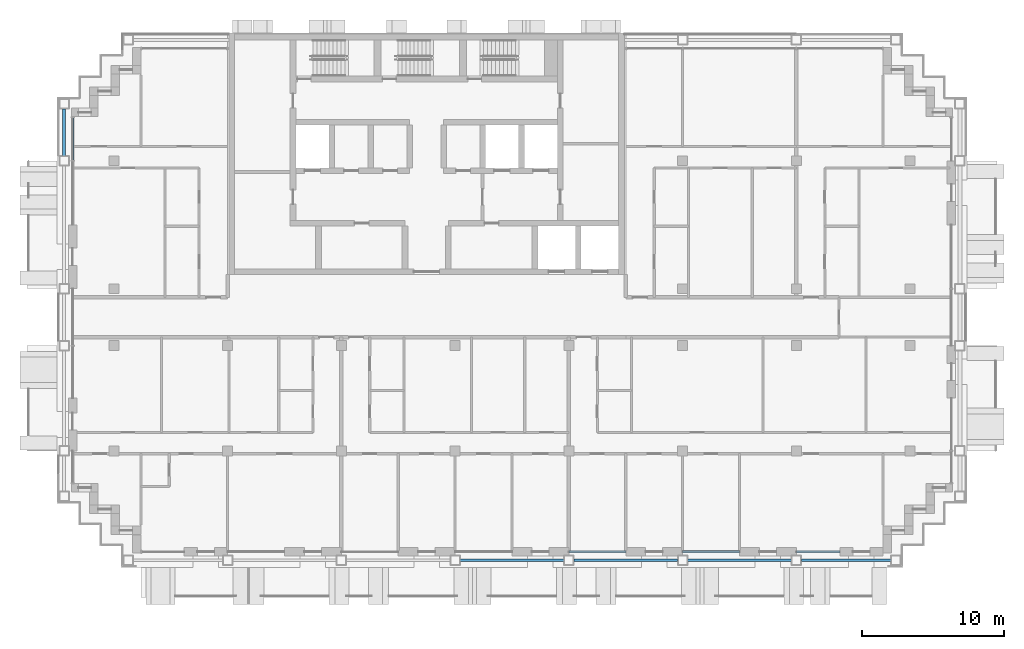
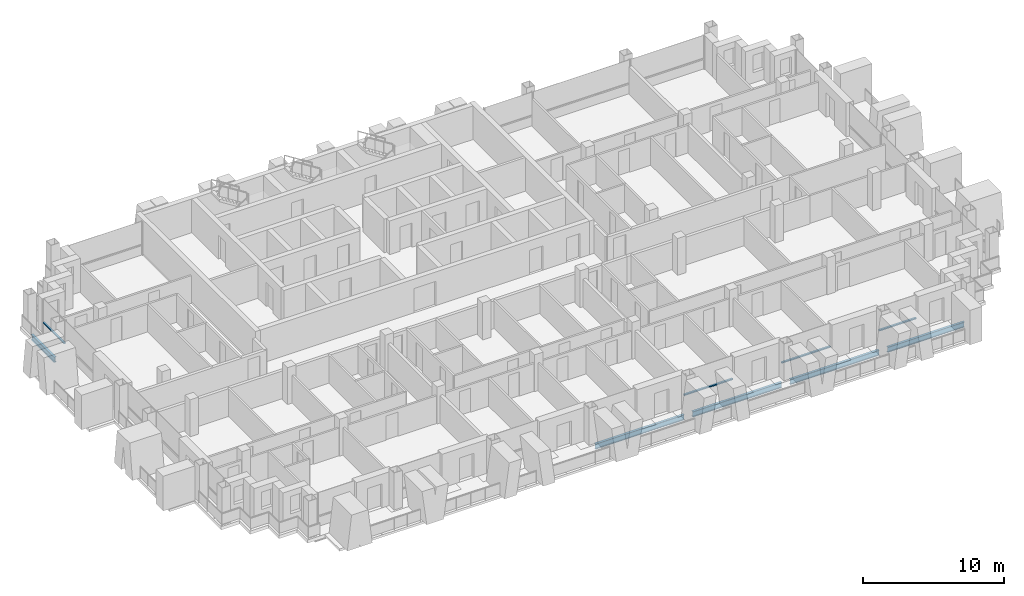
# One storey, part 3 of 16: 5 beams, 4 members, 4 elements without a shape of their own.
"""IFC4 building model written with IfcOpenShell, lengths in metres."""

from ifc_helpers import new_model, si_unit, direction, frame, origin, origin_2d, place, context, subcontext, project, spatial, rectangle, i_section, extrude, material, material_profile, profile_set, type_object, element, aggregate, save


model = new_model("IFC4")

# Units and contexts
model_context = context("Model", 3, precision=1e-05, world=origin(), true_north=direction((0.0, 1.0)))
body_context = subcontext(model_context, "Body", "Model", "MODEL_VIEW")
ifc_project = project(units=[si_unit("LENGTHUNIT", "METRE"), si_unit("AREAUNIT", "SQUARE_METRE"), si_unit("VOLUMEUNIT", "CUBIC_METRE"), si_unit("PLANEANGLEUNIT", "RADIAN"), si_unit("MASSUNIT", "GRAM", prefix="KILO")], contexts=[model_context])

# Site, building, storey
site_placement = place(None, origin())
site = spatial("IfcSite", under=ifc_project, at=site_placement, CompositionType="ELEMENT")
building_placement = place(site_placement, origin())
building = spatial("IfcBuilding", under=site, at=building_placement, Name="Vidyagriha Tower", CompositionType="ELEMENT")
storey_placement = place(building_placement, frame((0.0, 0.0, 168.5)))
storey = spatial("IfcBuildingStorey", under=building, at=storey_placement, Name="L43", CompositionType="ELEMENT", Elevation=168.5)

# Beams
ifc_material_1 = material(Name="Steel ASTM A992 Grade 50", Category="steel")
ifc_material_profile_1 = material_profile(ifc_material_1, i_section(OverallWidth=0.19189453125, OverallDepth=0.46240234375, WebThickness=0.010498046875, FlangeThickness=0.017578125, at=origin_2d()), Name="W18X60")
ifc_profile_set_1 = profile_set([ifc_material_profile_1], Name="Steel ASTM A992 Grade 50")
beam_type = type_object("IfcBeamType", Name="Edge beam W18X60", PredefinedType="SPANDREL", material=ifc_profile_set_1)
for number, where, z_axis, x_axis, name in (
    (1, (2.35009765625, -17.10009765625, -0.51123046875), (1.0, 0.0, 0.0), (0.0, 1.0, 0.0), "st-beam-L43-S04"),
    (2, (10.35009765625, -17.10009765625, -0.51123046875), (1.0, 0.0, 0.0), (0.0, 1.0, 0.0), "st-beam-L43-S05"),
    (3, (18.35009765625, -17.10009765625, -0.51123046875), (1.0, 0.0, 0.0), (0.0, 1.0, 0.0), "st-beam-L43-S06"),
):
    element("IfcBeam", number, at=place(storey_placement, frame(where, z_axis=z_axis, x_axis=x_axis)), inside=storey, type_object=beam_type, Name=name, PredefinedType="SPANDREL", context=body_context, shape_type="SweptSolid", body=[
        extrude(i_section(OverallWidth=0.19189453125, OverallDepth=0.46240234375, WebThickness=0.010498046875, FlangeThickness=0.017578125, at=origin_2d()), origin(), (0.0, 0.0, 1.0), 7.2998046875),
    ])
beam_1_placement = place(storey_placement, frame((26.35009765625, -17.10009765625, -0.51123046875), z_axis=(1.0, 0.0, 0.0), x_axis=(0.0, 1.0, 0.0)))
element("IfcBeam", 4, at=beam_1_placement, inside=storey, type_object=beam_type, Name="st-beam-L43-S07", PredefinedType="SPANDREL", context=body_context, shape_type="SweptSolid", body=[
    extrude(i_section(OverallWidth=0.19189453125, OverallDepth=0.46240234375, WebThickness=0.010498046875, FlangeThickness=0.017578125, at=origin_2d()), origin(), (0.0, 0.0, 1.0), 6.2998046875),
])
beam_2_placement = place(storey_placement, frame((-25.5, 11.35009765625, -0.51123046875), z_axis=(0.0, 1.0, 0.0), x_axis=(-1.0, 0.0, 0.0)))
element("IfcBeam", 5, at=beam_2_placement, inside=storey, type_object=beam_type, Name="st-beam-L43-W12", PredefinedType="SPANDREL", context=body_context, shape_type="SweptSolid", body=[
    extrude(i_section(OverallWidth=0.19189453125, OverallDepth=0.46240234375, WebThickness=0.010498046875, FlangeThickness=0.017578125, at=origin_2d()), origin(), (0.0, 0.0, 1.0), 3.2998046875),
])

# Curtain wall, member
ifc_material_2 = material(Name="Aluminium and glass curtain wall", Category="aluminium")
curtain_wall_type = type_object("IfcCurtainWallType", Name="Dwelling skin unitised curtain wall", PredefinedType="USERDEFINED", material=ifc_material_2)
curtain_wall_1_placement = place(storey_placement, origin())
curtain_wall_1 = element("IfcCurtainWall", 6, at=curtain_wall_1_placement, inside=storey, type_object=curtain_wall_type, Name="CW1 dwelling skin", ObjectType="UNITISED", PredefinedType="USERDEFINED")
ifc_material_3 = material(Name="Aluminium black anodised", Category="aluminium")
ifc_material_profile_2 = material_profile(ifc_material_3, rectangle(XDim=0.159912109375, YDim=0.10009765625, at=origin_2d()), Name="Transom 100x160 black aluminium")
ifc_profile_set_2 = profile_set([ifc_material_profile_2], Name="Aluminium black anodised")
member_type = type_object("IfcMemberType", Name="Transom 100x160 black aluminium", PredefinedType="USERDEFINED", material=ifc_profile_set_2)
member_1_placement = place(storey_placement, frame((-24.89990234375, 14.030029296875, 0.89990234375), z_axis=(0.0, -1.0, 0.0), x_axis=(1.0, 0.0, 0.0)))
member_1 = element("IfcMember", 7, at=member_1_placement, type_object=member_type, Name="CW1 transom 1.1", ObjectType="TRANSOM", PredefinedType="USERDEFINED", context=body_context, shape_type="SweptSolid", body=[
    extrude(rectangle(XDim=0.159912109375, YDim=0.10009765625, at=origin_2d()), origin(), (0.0, 0.0, 1.0), 2.9951171875),
])
aggregate(curtain_wall_1, [member_1])

curtain_wall_2_placement = place(storey_placement, origin())
curtain_wall_2 = element("IfcCurtainWall", 8, at=curtain_wall_2_placement, inside=storey, type_object=curtain_wall_type, Name="CW1 dwelling skin", ObjectType="UNITISED", PredefinedType="USERDEFINED")
member_2_placement = place(storey_placement, frame((10.0, -16.5, 0.89990234375), z_axis=(1.0, 0.0, 0.0), x_axis=(0.0, 1.0, 0.0)))
member_2 = element("IfcMember", 9, at=member_2_placement, type_object=member_type, Name="CW1 transom 1.1", ObjectType="TRANSOM", PredefinedType="USERDEFINED", context=body_context, shape_type="SweptSolid", body=[
    extrude(rectangle(XDim=0.159912109375, YDim=0.10009765625, at=origin_2d()), origin(), (0.0, 0.0, 1.0), 4.0),
])
aggregate(curtain_wall_2, [member_2])

curtain_wall_3_placement = place(storey_placement, origin())
curtain_wall_3 = element("IfcCurtainWall", 10, at=curtain_wall_3_placement, inside=storey, type_object=curtain_wall_type, Name="CW1 dwelling skin", ObjectType="UNITISED", PredefinedType="USERDEFINED")
member_3_placement = place(storey_placement, frame((18.0, -16.5, 0.89990234375), z_axis=(1.0, 0.0, 0.0), x_axis=(0.0, 1.0, 0.0)))
member_3 = element("IfcMember", 11, at=member_3_placement, type_object=member_type, Name="CW1 transom 1.1", ObjectType="TRANSOM", PredefinedType="USERDEFINED", context=body_context, shape_type="SweptSolid", body=[
    extrude(rectangle(XDim=0.159912109375, YDim=0.10009765625, at=origin_2d()), origin(), (0.0, 0.0, 1.0), 4.0),
])
aggregate(curtain_wall_3, [member_3])

curtain_wall_4_placement = place(storey_placement, origin())
curtain_wall_4 = element("IfcCurtainWall", 12, at=curtain_wall_4_placement, inside=storey, type_object=curtain_wall_type, Name="CW1 dwelling skin", ObjectType="UNITISED", PredefinedType="USERDEFINED")
member_4_placement = place(storey_placement, frame((26.0, -16.5, 0.89990234375), z_axis=(1.0, 0.0, 0.0), x_axis=(0.0, 1.0, 0.0)))
member_4 = element("IfcMember", 13, at=member_4_placement, type_object=member_type, Name="CW1 transom 1.1", ObjectType="TRANSOM", PredefinedType="USERDEFINED", context=body_context, shape_type="SweptSolid", body=[
    extrude(rectangle(XDim=0.159912109375, YDim=0.10009765625, at=origin_2d()), origin(), (0.0, 0.0, 1.0), 3.050048828125),
])
aggregate(curtain_wall_4, [member_4])

save(model, "model.ifc")
